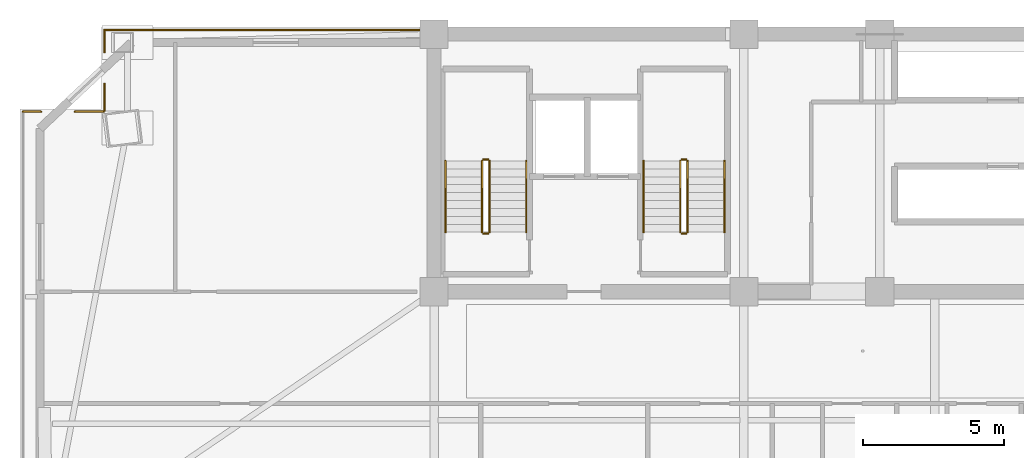
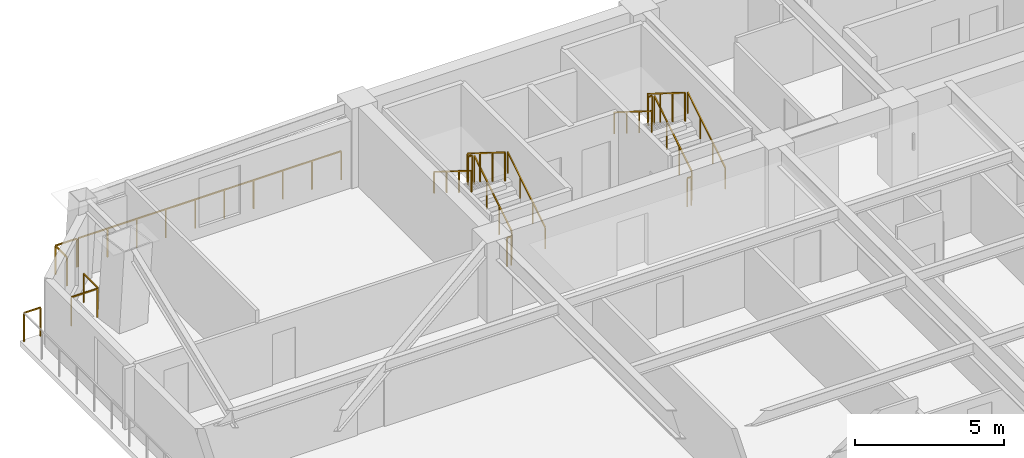
# One storey, part 14 of 15: 18 railings.
"""IFC4 building model written with IfcOpenShell, lengths in metres."""

import ifcopenshell
import ifcopenshell.guid

model = None  # the IFC model being written
_history = None  # IfcOwnerHistory: only IFC2X3 demands one
_inside = {}  # id of a spatial element -> (the spatial element, [elements in it])
_under = {}  # id of a project, library or spatial element -> (it, [spatial elements below it])
_declared = {}  # id of a project -> (the project, [libraries it declares])
_typed = {}  # id of a type object -> (the type object, [elements of that type])
_made_of = {}  # id of a material, layer set ... -> (it, [elements and type objects made of it])


def new_model(schema):
    """Start an empty IFC model of exactly this schema.

    Asked for "IFC4X3", IfcOpenShell would pick the latest addendum, in which some entities
    have other attributes; the version numbers below select the first issue.
    IFC2X3 requires an IfcOwnerHistory on every rooted entity: one is made here for all.
    """
    global model, _history
    if schema == "IFC4X3":
        model = ifcopenshell.file(schema_version=(4, 3, 0, 0))
    else:
        model = ifcopenshell.file(schema=schema)
    _inside.clear()
    _under.clear()
    _declared.clear()
    _typed.clear()
    _made_of.clear()
    _history = None
    if model.schema == "IFC2X3":
        org = make("IfcOrganization", Name="unknown")
        user = make(
            "IfcPersonAndOrganization",
            ThePerson=make("IfcPerson", FamilyName="unknown"),
            TheOrganization=org,
        )
        app = make(
            "IfcApplication",
            ApplicationDeveloper=org,
            Version="unknown",
            ApplicationFullName="unknown",
            ApplicationIdentifier="unknown",
        )
        _history = make(
            "IfcOwnerHistory",
            OwningUser=user,
            OwningApplication=app,
            ChangeAction="ADDED",
            CreationDate=0,
        )
    return model


def make(cls, **values):
    """One entity of the class cls with the attributes given. An attribute that is None is left unset."""
    return model.create_entity(
        cls, **{name: value for name, value in values.items() if value is not None}
    )


def rooted(cls, **values):
    """An entity with a GlobalId (a new one), such as an element, a storey or a relation."""
    return make(cls, GlobalId=ifcopenshell.guid.new(), OwnerHistory=_history, **values)


def si_unit(unit_type, name, prefix=None):
    """IfcSIUnit, for example si_unit("LENGTHUNIT", "METRE", prefix="MILLI")."""
    return make("IfcSIUnit", UnitType=unit_type, Prefix=prefix, Name=name)


def assignment(units):
    """IfcUnitAssignment: the units of a project."""
    return None if units is None else make("IfcUnitAssignment", Units=units)


def point(xyz):
    """IfcCartesianPoint."""
    return None if xyz is None else make("IfcCartesianPoint", Coordinates=xyz)


def direction(xyz):
    """IfcDirection."""
    return None if xyz is None else make("IfcDirection", DirectionRatios=xyz)


def frame(location, z_axis=None, x_axis=None):
    """IfcAxis2Placement3D, a coordinate frame: its origin and axes. An axis left out is left unset."""
    return make(
        "IfcAxis2Placement3D",
        Location=point(location),
        Axis=direction(z_axis),
        RefDirection=direction(x_axis),
    )


def frame_2d(location, x_axis=None):
    """IfcAxis2Placement2D, a coordinate frame in the plane: its origin and x axis."""
    return make(
        "IfcAxis2Placement2D", Location=point(location), RefDirection=direction(x_axis)
    )


def origin():
    """The frame at (0, 0, 0) with its axes left unset."""
    return frame((0.0, 0.0, 0.0))


def origin_2d():
    """The frame at (0, 0) in the plane with its x axis left unset."""
    return frame_2d((0.0, 0.0))


def place(relative_to, where):
    """IfcLocalPlacement: puts the frame where relative to a parent placement (None: the world)."""
    return make(
        "IfcLocalPlacement", PlacementRelTo=relative_to, RelativePlacement=where
    )


def context(
    kind, dimensions, precision=None, world=None, true_north=None, identifier=None
):
    """IfcGeometricRepresentationContext, for example the 3D "Model" context."""
    return make(
        "IfcGeometricRepresentationContext",
        ContextIdentifier=identifier,
        ContextType=kind,
        CoordinateSpaceDimension=dimensions,
        Precision=precision,
        WorldCoordinateSystem=world,
        TrueNorth=true_north,
    )


def subcontext(parent, identifier, kind, view, scale=None):
    """IfcGeometricRepresentationSubContext, for example "Body" below "Model"."""
    return make(
        "IfcGeometricRepresentationSubContext",
        ContextIdentifier=identifier,
        ContextType=kind,
        ParentContext=parent,
        TargetScale=scale,
        TargetView=view,
    )


def project(units=None, contexts=None):
    """IfcProject with its units and contexts."""
    return rooted(
        "IfcProject",
        Name="project",
        RepresentationContexts=contexts,
        UnitsInContext=assignment(units),
    )


def spatial(cls, under=None, at=None, **own):
    """A site, building, storey or space (cls), placed at a placement, below another one or the project."""
    s = rooted(cls, ObjectPlacement=at, **own)
    if under is not None:
        _under.setdefault(under.id(), (under, []))[1].append(s)
    return s


def profile(cls, at=None, kind="AREA", **sizes):
    """A parametric profile (cls). Its sizes go by their IFC names, for example OverallWidth=200.0."""
    return make(cls, ProfileType=kind, Position=at, **sizes)


def rectangle(**sizes):
    """IfcRectangleProfileDef."""
    return profile("IfcRectangleProfileDef", **sizes)


def extrude(swept, where, along, depth):
    """IfcExtrudedAreaSolid: the profile swept, set in the frame where, extruded along a direction by depth."""
    return make(
        "IfcExtrudedAreaSolid",
        SweptArea=swept,
        Position=where,
        ExtrudedDirection=direction(along),
        Depth=depth,
    )


def shape(context_of_items, identifier, shape_type, items):
    """IfcShapeRepresentation: the items that make up one representation, for example the "Body"."""
    return make(
        "IfcShapeRepresentation",
        ContextOfItems=context_of_items,
        RepresentationIdentifier=identifier,
        RepresentationType=shape_type,
        Items=items,
    )


def material(Name=None, Category=None):
    """IfcMaterial."""
    return make("IfcMaterial", Name=Name, Category=Category)


def made_of(thing, what):
    """Note that an element or type object is made of a material, layer set ...; save() writes the relation."""
    if what is not None:
        _made_of.setdefault(what.id(), (what, []))[1].append(thing)
    return thing


def type_object(cls, material=None, **own):
    """A type object (cls), such as IfcWallType, which elements share."""
    return made_of(rooted(cls, **own), material)


def element(
    cls,
    number,
    at=None,
    inside=None,
    cuts=None,
    type_object=None,
    material=None,
    context=None,
    identifier="Body",
    shape_type=None,
    held_by="IfcProductDefinitionShape",
    body=None,
    shapes=None,
    **own,
):
    """One element of the class cls, such as IfcWall. Its Tag is "e" and its number.

    at: its placement. inside: the storey or other place that contains it. cuts: it is an
    opening in that element (IfcRelVoidsElement). A single representation is given by context,
    identifier, shape_type and body (its items); several are given by shapes. held_by: the class
    of the entity that holds the representations. save() writes the other relations.
    """
    e = rooted(cls, Tag="e%d" % number, ObjectPlacement=at, **own)
    if body is not None:
        shapes = [shape(context, identifier, shape_type, body)]
    if shapes is not None:
        e.Representation = make(held_by, Representations=shapes)
    if inside is not None:
        _inside.setdefault(inside.id(), (inside, []))[1].append(e)
    if cuts is not None:
        rooted(
            "IfcRelVoidsElement", RelatingBuildingElement=cuts, RelatedOpeningElement=e
        )
    if type_object is not None:
        _typed.setdefault(type_object.id(), (type_object, []))[1].append(e)
    return made_of(e, material)


def aggregate(whole, parts):
    """IfcRelAggregates: a whole, such as a stair, and the parts it consists of."""
    return rooted("IfcRelAggregates", RelatingObject=whole, RelatedObjects=parts)


def save(model, path):
    """Write the relations noted so far, then the file.

    IfcRelAggregates (storeys below a building ...), IfcRelContainedInSpatialStructure (elements
    in a storey), IfcRelDefinesByType, IfcRelAssociatesMaterial and IfcRelDeclares: one each for
    every whole, place, type object, material and project.
    """
    for whole, parts in _under.values():
        aggregate(whole, parts)
    for where, things in _inside.values():
        rooted(
            "IfcRelContainedInSpatialStructure",
            RelatedElements=things,
            RelatingStructure=where,
        )
    for kind, things in _typed.values():
        rooted("IfcRelDefinesByType", RelatedObjects=things, RelatingType=kind)
    for what, things in _made_of.values():
        rooted("IfcRelAssociatesMaterial", RelatedObjects=things, RelatingMaterial=what)
    for by, libraries in _declared.values():
        rooted("IfcRelDeclares", RelatingContext=by, RelatedDefinitions=libraries)
    model.write(path)


model = new_model("IFC4")

# Units and contexts
model_context = context("Model", 3, precision=1e-05, world=origin(), true_north=direction((0.0, 1.0)))
body_context = subcontext(model_context, "Body", "Model", "MODEL_VIEW")
ifc_project = project(units=[si_unit("LENGTHUNIT", "METRE"), si_unit("AREAUNIT", "SQUARE_METRE"), si_unit("VOLUMEUNIT", "CUBIC_METRE"), si_unit("PLANEANGLEUNIT", "RADIAN"), si_unit("MASSUNIT", "GRAM", prefix="KILO")], contexts=[model_context])

# Site, building, storey
site_placement = place(None, origin())
site = spatial("IfcSite", under=ifc_project, at=site_placement, CompositionType="ELEMENT")
building_placement = place(site_placement, origin())
building = spatial("IfcBuilding", under=site, at=building_placement, Name="Giltprow Tower", CompositionType="ELEMENT")
storey_placement = place(building_placement, frame((0.0, 0.0, 177.199951171875)))
storey = spatial("IfcBuildingStorey", under=building, at=storey_placement, Name="L44", CompositionType="ELEMENT", Elevation=177.199951171875)

# Railings
ifc_material = material(Name="Anodized bronze", Category="metal")
railing_type_1 = type_object("IfcRailingType", Name="RAIL-BALC-GUARD-1200", PredefinedType="BALUSTRADE", material=ifc_material)
railing_1_placement = place(storey_placement, frame((5.319091796875, 43.81298828125, 0.0)))
element("IfcRailing", 1, at=railing_1_placement, inside=storey, type_object=railing_type_1, Name="L44 Corner Apron Edge Balustrade 6", PredefinedType="BALUSTRADE", context=body_context, shape_type="SweptSolid", body=[
    extrude(rectangle(XDim=0.048095703125, YDim=0.048095703125, at=origin_2d()), frame((0.0, 0.0, 1.17578125), z_axis=(1.0, 0.0, 0.0), x_axis=(0.0, 1.0, 0.0)), (0.0, 0.0, 1.0), 0.639892578125),
    extrude(rectangle(XDim=0.0419921875, YDim=0.0419921875, at=origin_2d()), origin(), (0.0, 0.0, 1.0), 1.15185546875),
    extrude(rectangle(XDim=0.0419921875, YDim=0.0419921875, at=origin_2d()), frame((0.639892578125, 0.0, 0.0)), (0.0, 0.0, 1.0), 1.15185546875),
])
railing_2_placement = place(storey_placement, frame((7.157958984375, 43.81298828125, 0.0)))
element("IfcRailing", 2, at=railing_2_placement, inside=storey, type_object=railing_type_1, Name="L44 Corner Apron Edge Balustrade 7", PredefinedType="BALUSTRADE", context=body_context, shape_type="SweptSolid", body=[
    extrude(rectangle(XDim=0.048095703125, YDim=0.048095703125, at=origin_2d()), frame((0.0, 0.0, 1.17578125), z_axis=(1.0, 0.0, 0.0), x_axis=(0.0, 1.0, 0.0)), (0.0, 0.0, 1.0), 1.012939453125),
    extrude(rectangle(XDim=0.0419921875, YDim=0.0419921875, at=origin_2d()), origin(), (0.0, 0.0, 1.0), 1.15185546875),
    extrude(rectangle(XDim=0.0419921875, YDim=0.0419921875, at=origin_2d()), frame((1.012939453125, 0.0, 0.0)), (0.0, 0.0, 1.0), 1.15185546875),
])
railing_3_placement = place(storey_placement, frame((8.2060546875, 43.847900390625, 0.0)))
element("IfcRailing", 3, at=railing_3_placement, inside=storey, type_object=railing_type_1, Name="L44 Corner Apron Edge Balustrade 8", PredefinedType="BALUSTRADE", context=body_context, shape_type="SweptSolid", body=[
    extrude(rectangle(XDim=0.048095703125, YDim=0.048095703125, at=origin_2d()), frame((0.0, 0.0, 1.17578125), z_axis=(0.0, 1.0, 0.0), x_axis=(-1.0, 0.0, 0.0)), (0.0, 0.0, 1.0), 0.947998046875),
    extrude(rectangle(XDim=0.0419921875, YDim=0.0419921875, at=origin_2d()), origin(), (0.0, 0.0, 1.0), 1.15185546875),
    extrude(rectangle(XDim=0.0419921875, YDim=0.0419921875, at=origin_2d()), frame((0.0, 0.947998046875, 0.0)), (0.0, 0.0, 1.0), 1.15185546875),
])
railing_4_placement = place(storey_placement, frame((8.2060546875, 45.9208984375, 0.0)))
element("IfcRailing", 4, at=railing_4_placement, inside=storey, type_object=railing_type_1, Name="L44 Corner Apron Edge Balustrade 9", PredefinedType="BALUSTRADE", context=body_context, shape_type="SweptSolid", body=[
    extrude(rectangle(XDim=0.048095703125, YDim=0.048095703125, at=origin_2d()), frame((0.0, 0.0, 1.17578125), z_axis=(0.0, 1.0, 0.0), x_axis=(-1.0, 0.0, 0.0)), (0.0, 0.0, 1.0), 0.779052734375),
    extrude(rectangle(XDim=0.0419921875, YDim=0.0419921875, at=origin_2d()), origin(), (0.0, 0.0, 1.0), 1.15185546875),
    extrude(rectangle(XDim=0.0419921875, YDim=0.0419921875, at=origin_2d()), frame((0.0, 0.779052734375, 0.0)), (0.0, 0.0, 1.0), 1.15185546875),
])
railing_5_placement = place(storey_placement, frame((8.2060546875, 46.699951171875, 0.0)))
element("IfcRailing", 5, at=railing_5_placement, inside=storey, type_object=railing_type_1, Name="L44 Corner Apron Edge Balustrade 10", PredefinedType="BALUSTRADE", context=body_context, shape_type="SweptSolid", body=[
    extrude(rectangle(XDim=0.048095703125, YDim=0.048095703125, at=origin_2d()), frame((0.0, 0.0, 1.17578125), z_axis=(1.0, 0.0, 0.0), x_axis=(0.0, 1.0, 0.0)), (0.0, 0.0, 1.0), 0.829833984375),
    extrude(rectangle(XDim=0.0419921875, YDim=0.0419921875, at=origin_2d()), origin(), (0.0, 0.0, 1.0), 1.15185546875),
    extrude(rectangle(XDim=0.0419921875, YDim=0.0419921875, at=origin_2d()), frame((0.829833984375, 0.0, 0.0)), (0.0, 0.0, 1.0), 1.15185546875),
])
railing_6_placement = place(storey_placement, frame((9.090087890625, 46.699951171875, 0.0)))
element("IfcRailing", 6, at=railing_6_placement, inside=storey, type_object=railing_type_1, Name="L44 Corner Apron Edge Balustrade 11", PredefinedType="BALUSTRADE", context=body_context, shape_type="SweptSolid", body=[
    extrude(rectangle(XDim=0.048095703125, YDim=0.048095703125, at=origin_2d()), frame((0.0, 0.0, 1.17578125), z_axis=(1.0, 0.0, 0.0), x_axis=(0.0, 1.0, 0.0)), (0.0, 0.0, 1.0), 10.224853515625),
    extrude(rectangle(XDim=0.0419921875, YDim=0.0419921875, at=origin_2d()), origin(), (0.0, 0.0, 1.0), 1.15185546875),
    extrude(rectangle(XDim=0.0419921875, YDim=0.0419921875, at=origin_2d()), frame((1.135986328125, 0.0, 0.0)), (0.0, 0.0, 1.0), 1.15185546875),
    extrude(rectangle(XDim=0.0419921875, YDim=0.0419921875, at=origin_2d()), frame((2.272216796875, 0.0, 0.0)), (0.0, 0.0, 1.0), 1.15185546875),
    extrude(rectangle(XDim=0.0419921875, YDim=0.0419921875, at=origin_2d()), frame((3.408203125, 0.0, 0.0)), (0.0, 0.0, 1.0), 1.15185546875),
    extrude(rectangle(XDim=0.0419921875, YDim=0.0419921875, at=origin_2d()), frame((4.54443359375, 0.0, 0.0)), (0.0, 0.0, 1.0), 1.15185546875),
    extrude(rectangle(XDim=0.0419921875, YDim=0.0419921875, at=origin_2d()), frame((5.680419921875, 0.0, 0.0)), (0.0, 0.0, 1.0), 1.15185546875),
    extrude(rectangle(XDim=0.0419921875, YDim=0.0419921875, at=origin_2d()), frame((6.816650390625, 0.0, 0.0)), (0.0, 0.0, 1.0), 1.15185546875),
    extrude(rectangle(XDim=0.0419921875, YDim=0.0419921875, at=origin_2d()), frame((7.95263671875, 0.0, 0.0)), (0.0, 0.0, 1.0), 1.15185546875),
    extrude(rectangle(XDim=0.0419921875, YDim=0.0419921875, at=origin_2d()), frame((9.0888671875, 0.0, 0.0)), (0.0, 0.0, 1.0), 1.15185546875),
    extrude(rectangle(XDim=0.0419921875, YDim=0.0419921875, at=origin_2d()), frame((10.224853515625, 0.0, 0.0)), (0.0, 0.0, 1.0), 1.15185546875),
])
railing_type_2 = type_object("IfcRailingType", Name="RAIL-STAIR-GUARD-1200", PredefinedType="GUARDRAIL", material=ifc_material)
railing_7_placement = place(storey_placement, frame((21.81005859375, 39.550048828125, 0.175048828125)))
element("IfcRailing", 7, at=railing_7_placement, inside=storey, type_object=railing_type_2, Name="L44 ST-1 stair guard 1", PredefinedType="GUARDRAIL", context=body_context, shape_type="SweptSolid", body=[
    extrude(rectangle(XDim=0.048095703125, YDim=0.048095703125, at=origin_2d()), frame((0.0, 0.0, 1.17578125), z_axis=(0.0, 0.848007534815, 0.529984170421), x_axis=(-1.0, 0.0, 0.0)), (0.0, 0.0, 1.0), 2.9716796875),
    extrude(rectangle(XDim=0.0419921875, YDim=0.0419921875, at=origin_2d()), origin(), (0.0, 0.0, 1.0), 1.15185546875),
    extrude(rectangle(XDim=0.0419921875, YDim=0.0419921875, at=origin_2d()), frame((0.0, 0.840087890625, 0.52490234375)), (0.0, 0.0, 1.0), 1.15185546875),
    extrude(rectangle(XDim=0.0419921875, YDim=0.0419921875, at=origin_2d()), frame((0.0, 1.679931640625, 1.050048828125)), (0.0, 0.0, 1.0), 1.15185546875),
    extrude(rectangle(XDim=0.0419921875, YDim=0.0419921875, at=origin_2d()), frame((0.0, 2.52001953125, 1.574951171875)), (0.0, 0.0, 1.0), 1.15185546875),
])
railing_8_placement = place(storey_placement, frame((21.760009765625, 42.1201171875, 1.75)))
element("IfcRailing", 8, at=railing_8_placement, inside=storey, type_object=railing_type_2, Name="L44 ST-1 stair guard 2", PredefinedType="GUARDRAIL", context=body_context, shape_type="SweptSolid", body=[
    extrude(rectangle(XDim=0.048095703125, YDim=0.048095703125, at=origin_2d()), frame((0.0, 0.0, 1.17578125), z_axis=(-1.0, 0.0, 0.0), x_axis=(0.0, -1.0, 0.0)), (0.0, 0.0, 1.0), 0.159912109375),
    extrude(rectangle(XDim=0.0419921875, YDim=0.0419921875, at=origin_2d()), origin(), (0.0, 0.0, 1.0), 1.15185546875),
    extrude(rectangle(XDim=0.0419921875, YDim=0.0419921875, at=origin_2d()), frame((-0.159912109375, 0.0, 0.0)), (0.0, 0.0, 1.0), 1.15185546875),
])
railing_9_placement = place(storey_placement, frame((21.550048828125, 42.070068359375, 1.925048828125)))
element("IfcRailing", 9, at=railing_9_placement, inside=storey, type_object=railing_type_2, Name="L44 ST-1 stair guard 3", PredefinedType="GUARDRAIL", context=body_context, shape_type="SweptSolid", body=[
    extrude(rectangle(XDim=0.048095703125, YDim=0.048095703125, at=origin_2d()), frame((0.0, 0.0, 1.17578125), z_axis=(0.0, -0.848007534815, 0.529984170421), x_axis=(1.0, 0.0, 0.0)), (0.0, 0.0, 1.0), 2.9716796875),
    extrude(rectangle(XDim=0.0419921875, YDim=0.0419921875, at=origin_2d()), origin(), (0.0, 0.0, 1.0), 1.15185546875),
    extrude(rectangle(XDim=0.0419921875, YDim=0.0419921875, at=origin_2d()), frame((0.0, -0.840087890625, 0.52490234375)), (0.0, 0.0, 1.0), 1.15185546875),
    extrude(rectangle(XDim=0.0419921875, YDim=0.0419921875, at=origin_2d()), frame((0.0, -1.679931640625, 1.050048828125)), (0.0, 0.0, 1.0), 1.15185546875),
    extrude(rectangle(XDim=0.0419921875, YDim=0.0419921875, at=origin_2d()), frame((0.0, -2.52001953125, 1.574951171875)), (0.0, 0.0, 1.0), 1.15185546875),
])
railing_10_placement = place(storey_placement, frame((21.760009765625, 39.5, 0.0)))
element("IfcRailing", 10, at=railing_10_placement, inside=storey, type_object=railing_type_2, Name="L44 ST-1 stair guard 4", PredefinedType="GUARDRAIL", context=body_context, shape_type="SweptSolid", body=[
    extrude(rectangle(XDim=0.048095703125, YDim=0.048095703125, at=origin_2d()), frame((0.0, 0.0, 1.17578125), z_axis=(-1.0, 0.0, 0.0), x_axis=(0.0, -1.0, 0.0)), (0.0, 0.0, 1.0), 0.159912109375),
    extrude(rectangle(XDim=0.0419921875, YDim=0.0419921875, at=origin_2d()), origin(), (0.0, 0.0, 1.0), 1.15185546875),
    extrude(rectangle(XDim=0.0419921875, YDim=0.0419921875, at=origin_2d()), frame((-0.159912109375, 0.0, 0.0)), (0.0, 0.0, 1.0), 1.15185546875),
])
railing_11_placement = place(storey_placement, frame((28.81005859375, 39.550048828125, 0.175048828125)))
element("IfcRailing", 11, at=railing_11_placement, inside=storey, type_object=railing_type_2, Name="L44 ST-2 stair guard 1", PredefinedType="GUARDRAIL", context=body_context, shape_type="SweptSolid", body=[
    extrude(rectangle(XDim=0.048095703125, YDim=0.048095703125, at=origin_2d()), frame((0.0, 0.0, 1.17578125), z_axis=(0.0, 0.848007534815, 0.529984170421), x_axis=(-1.0, 0.0, 0.0)), (0.0, 0.0, 1.0), 2.9716796875),
    extrude(rectangle(XDim=0.0419921875, YDim=0.0419921875, at=origin_2d()), origin(), (0.0, 0.0, 1.0), 1.15185546875),
    extrude(rectangle(XDim=0.0419921875, YDim=0.0419921875, at=origin_2d()), frame((0.0, 0.840087890625, 0.52490234375)), (0.0, 0.0, 1.0), 1.15185546875),
    extrude(rectangle(XDim=0.0419921875, YDim=0.0419921875, at=origin_2d()), frame((0.0, 1.679931640625, 1.050048828125)), (0.0, 0.0, 1.0), 1.15185546875),
    extrude(rectangle(XDim=0.0419921875, YDim=0.0419921875, at=origin_2d()), frame((0.0, 2.52001953125, 1.574951171875)), (0.0, 0.0, 1.0), 1.15185546875),
])
railing_12_placement = place(storey_placement, frame((28.760009765625, 42.1201171875, 1.75)))
element("IfcRailing", 12, at=railing_12_placement, inside=storey, type_object=railing_type_2, Name="L44 ST-2 stair guard 2", PredefinedType="GUARDRAIL", context=body_context, shape_type="SweptSolid", body=[
    extrude(rectangle(XDim=0.048095703125, YDim=0.048095703125, at=origin_2d()), frame((0.0, 0.0, 1.17578125), z_axis=(-1.0, 0.0, 0.0), x_axis=(0.0, -1.0, 0.0)), (0.0, 0.0, 1.0), 0.159912109375),
    extrude(rectangle(XDim=0.0419921875, YDim=0.0419921875, at=origin_2d()), origin(), (0.0, 0.0, 1.0), 1.15185546875),
    extrude(rectangle(XDim=0.0419921875, YDim=0.0419921875, at=origin_2d()), frame((-0.159912109375, 0.0, 0.0)), (0.0, 0.0, 1.0), 1.15185546875),
])
railing_13_placement = place(storey_placement, frame((28.550048828125, 42.070068359375, 1.925048828125)))
element("IfcRailing", 13, at=railing_13_placement, inside=storey, type_object=railing_type_2, Name="L44 ST-2 stair guard 3", PredefinedType="GUARDRAIL", context=body_context, shape_type="SweptSolid", body=[
    extrude(rectangle(XDim=0.048095703125, YDim=0.048095703125, at=origin_2d()), frame((0.0, 0.0, 1.17578125), z_axis=(0.0, -0.848007534815, 0.529984170421), x_axis=(1.0, 0.0, 0.0)), (0.0, 0.0, 1.0), 2.9716796875),
    extrude(rectangle(XDim=0.0419921875, YDim=0.0419921875, at=origin_2d()), origin(), (0.0, 0.0, 1.0), 1.15185546875),
    extrude(rectangle(XDim=0.0419921875, YDim=0.0419921875, at=origin_2d()), frame((0.0, -0.840087890625, 0.52490234375)), (0.0, 0.0, 1.0), 1.15185546875),
    extrude(rectangle(XDim=0.0419921875, YDim=0.0419921875, at=origin_2d()), frame((0.0, -1.679931640625, 1.050048828125)), (0.0, 0.0, 1.0), 1.15185546875),
    extrude(rectangle(XDim=0.0419921875, YDim=0.0419921875, at=origin_2d()), frame((0.0, -2.52001953125, 1.574951171875)), (0.0, 0.0, 1.0), 1.15185546875),
])
railing_14_placement = place(storey_placement, frame((28.760009765625, 39.5, 0.0)))
element("IfcRailing", 14, at=railing_14_placement, inside=storey, type_object=railing_type_2, Name="L44 ST-2 stair guard 4", PredefinedType="GUARDRAIL", context=body_context, shape_type="SweptSolid", body=[
    extrude(rectangle(XDim=0.048095703125, YDim=0.048095703125, at=origin_2d()), frame((0.0, 0.0, 1.17578125), z_axis=(-1.0, 0.0, 0.0), x_axis=(0.0, -1.0, 0.0)), (0.0, 0.0, 1.0), 0.159912109375),
    extrude(rectangle(XDim=0.0419921875, YDim=0.0419921875, at=origin_2d()), origin(), (0.0, 0.0, 1.0), 1.15185546875),
    extrude(rectangle(XDim=0.0419921875, YDim=0.0419921875, at=origin_2d()), frame((-0.159912109375, 0.0, 0.0)), (0.0, 0.0, 1.0), 1.15185546875),
])
railing_type_3 = type_object("IfcRailingType", Name="RAIL-STAIR-HAND-900", PredefinedType="HANDRAIL", material=ifc_material)
railing_15_placement = place(storey_placement, frame((23.110107421875, 39.550048828125, 0.175048828125)))
element("IfcRailing", 15, at=railing_15_placement, inside=storey, type_object=railing_type_3, Name="L44 ST-1 stair handrail 1", PredefinedType="HANDRAIL", context=body_context, shape_type="SweptSolid", body=[
    extrude(rectangle(XDim=0.048095703125, YDim=0.048095703125, at=origin_2d()), frame((0.0, 0.0, 0.8759765625), z_axis=(0.0, 0.848007534815, 0.529984170421), x_axis=(-1.0, 0.0, 0.0)), (0.0, 0.0, 1.0), 2.9716796875),
    extrude(rectangle(XDim=0.0419921875, YDim=0.0419921875, at=origin_2d()), origin(), (0.0, 0.0, 1.0), 0.851806640625),
    extrude(rectangle(XDim=0.0419921875, YDim=0.0419921875, at=origin_2d()), frame((0.0, 0.840087890625, 0.52490234375)), (0.0, 0.0, 1.0), 0.851806640625),
    extrude(rectangle(XDim=0.0419921875, YDim=0.0419921875, at=origin_2d()), frame((0.0, 1.679931640625, 1.050048828125)), (0.0, 0.0, 1.0), 0.851806640625),
    extrude(rectangle(XDim=0.0419921875, YDim=0.0419921875, at=origin_2d()), frame((0.0, 2.52001953125, 1.574951171875)), (0.0, 0.0, 1.0), 0.851806640625),
])
railing_16_placement = place(storey_placement, frame((20.25, 42.070068359375, 1.925048828125)))
element("IfcRailing", 16, at=railing_16_placement, inside=storey, type_object=railing_type_3, Name="L44 ST-1 stair handrail 2", PredefinedType="HANDRAIL", context=body_context, shape_type="SweptSolid", body=[
    extrude(rectangle(XDim=0.048095703125, YDim=0.048095703125, at=origin_2d()), frame((0.0, 0.0, 0.8759765625), z_axis=(0.0, -0.848007534815, 0.529984170421), x_axis=(1.0, 0.0, 0.0)), (0.0, 0.0, 1.0), 2.9716796875),
    extrude(rectangle(XDim=0.0419921875, YDim=0.0419921875, at=origin_2d()), origin(), (0.0, 0.0, 1.0), 0.851806640625),
    extrude(rectangle(XDim=0.0419921875, YDim=0.0419921875, at=origin_2d()), frame((0.0, -0.840087890625, 0.52490234375)), (0.0, 0.0, 1.0), 0.851806640625),
    extrude(rectangle(XDim=0.0419921875, YDim=0.0419921875, at=origin_2d()), frame((0.0, -1.679931640625, 1.050048828125)), (0.0, 0.0, 1.0), 0.851806640625),
    extrude(rectangle(XDim=0.0419921875, YDim=0.0419921875, at=origin_2d()), frame((0.0, -2.52001953125, 1.574951171875)), (0.0, 0.0, 1.0), 0.851806640625),
])
railing_17_placement = place(storey_placement, frame((30.110107421875, 39.550048828125, 0.175048828125)))
element("IfcRailing", 17, at=railing_17_placement, inside=storey, type_object=railing_type_3, Name="L44 ST-2 stair handrail 1", PredefinedType="HANDRAIL", context=body_context, shape_type="SweptSolid", body=[
    extrude(rectangle(XDim=0.048095703125, YDim=0.048095703125, at=origin_2d()), frame((0.0, 0.0, 0.8759765625), z_axis=(0.0, 0.848007534815, 0.529984170421), x_axis=(-1.0, 0.0, 0.0)), (0.0, 0.0, 1.0), 2.9716796875),
    extrude(rectangle(XDim=0.0419921875, YDim=0.0419921875, at=origin_2d()), origin(), (0.0, 0.0, 1.0), 0.851806640625),
    extrude(rectangle(XDim=0.0419921875, YDim=0.0419921875, at=origin_2d()), frame((0.0, 0.840087890625, 0.52490234375)), (0.0, 0.0, 1.0), 0.851806640625),
    extrude(rectangle(XDim=0.0419921875, YDim=0.0419921875, at=origin_2d()), frame((0.0, 1.679931640625, 1.050048828125)), (0.0, 0.0, 1.0), 0.851806640625),
    extrude(rectangle(XDim=0.0419921875, YDim=0.0419921875, at=origin_2d()), frame((0.0, 2.52001953125, 1.574951171875)), (0.0, 0.0, 1.0), 0.851806640625),
])
railing_18_placement = place(storey_placement, frame((27.25, 42.070068359375, 1.925048828125)))
element("IfcRailing", 18, at=railing_18_placement, inside=storey, type_object=railing_type_3, Name="L44 ST-2 stair handrail 2", PredefinedType="HANDRAIL", context=body_context, shape_type="SweptSolid", body=[
    extrude(rectangle(XDim=0.048095703125, YDim=0.048095703125, at=origin_2d()), frame((0.0, 0.0, 0.8759765625), z_axis=(0.0, -0.848007534815, 0.529984170421), x_axis=(1.0, 0.0, 0.0)), (0.0, 0.0, 1.0), 2.9716796875),
    extrude(rectangle(XDim=0.0419921875, YDim=0.0419921875, at=origin_2d()), origin(), (0.0, 0.0, 1.0), 0.851806640625),
    extrude(rectangle(XDim=0.0419921875, YDim=0.0419921875, at=origin_2d()), frame((0.0, -0.840087890625, 0.52490234375)), (0.0, 0.0, 1.0), 0.851806640625),
    extrude(rectangle(XDim=0.0419921875, YDim=0.0419921875, at=origin_2d()), frame((0.0, -1.679931640625, 1.050048828125)), (0.0, 0.0, 1.0), 0.851806640625),
    extrude(rectangle(XDim=0.0419921875, YDim=0.0419921875, at=origin_2d()), frame((0.0, -2.52001953125, 1.574951171875)), (0.0, 0.0, 1.0), 0.851806640625),
])

save(model, "model.ifc")
